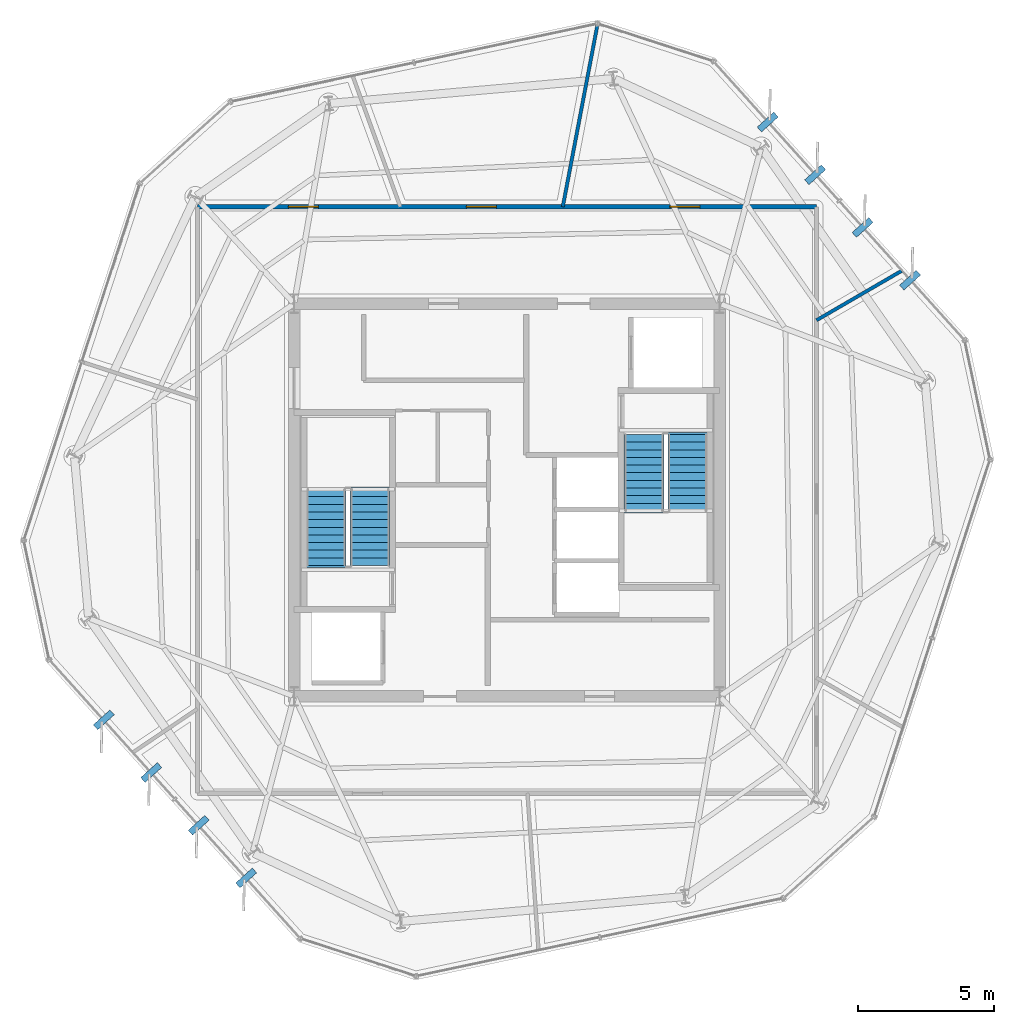
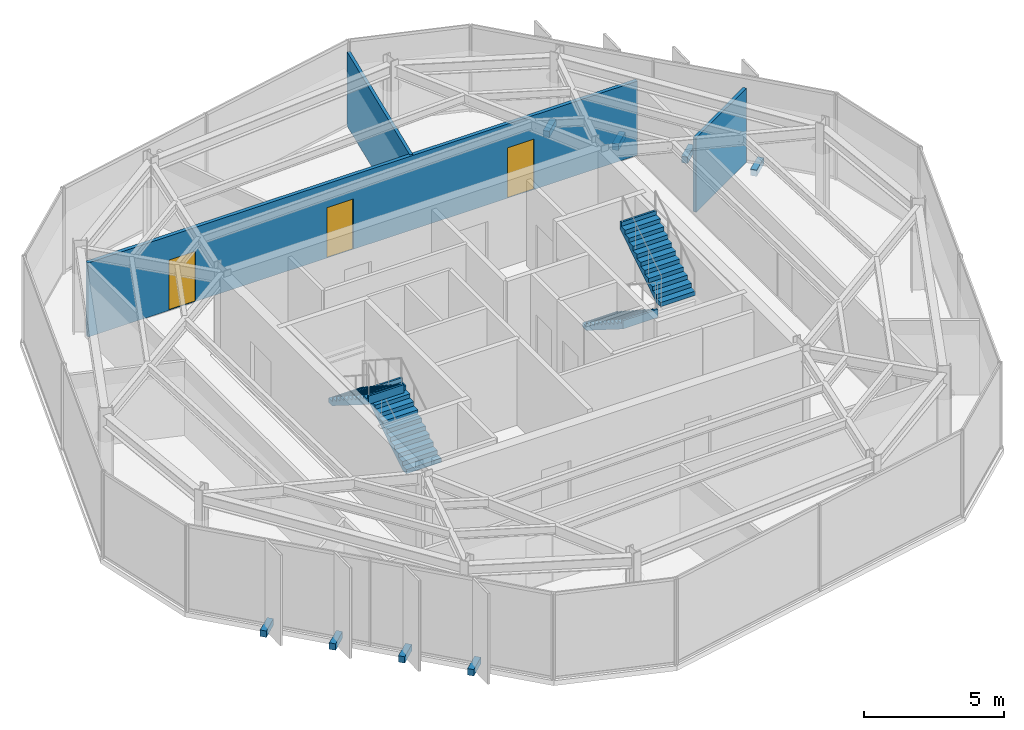
# One storey, part 9 of 13: 8 discrete accessories, 4 stair flights, 3 doors, 3 walls, 3 openings, 2 elements without a shape of their own.
"""IFC4 building model written with IfcOpenShell, lengths in metres."""

from ifc_helpers import new_model, si_unit, direction, frame, frame_2d, origin, origin_2d, place, context, subcontext, project, spatial, polyline, rectangle, outline, extrude, material, layer, layer_set, type_object, element, fill, aggregate, save


model = new_model("IFC4")

# Units and contexts
model_context = context("Model", 3, precision=1e-05, world=origin(), true_north=direction((0.0, 1.0)))
body_context = subcontext(model_context, "Body", "Model", "MODEL_VIEW")
ifc_project = project(units=[si_unit("LENGTHUNIT", "METRE"), si_unit("AREAUNIT", "SQUARE_METRE"), si_unit("VOLUMEUNIT", "CUBIC_METRE"), si_unit("PLANEANGLEUNIT", "RADIAN"), si_unit("MASSUNIT", "GRAM", prefix="KILO")], contexts=[model_context])

# Site, building, storey
site_placement = place(None, origin())
site = spatial("IfcSite", under=ifc_project, at=site_placement, CompositionType="ELEMENT")
building_placement = place(site_placement, origin())
building = spatial("IfcBuilding", under=site, at=building_placement, Name="Kranzbogen Civic Tower", CompositionType="ELEMENT")
storey_placement = place(building_placement, frame((0.0, 0.0, 314.199951171875)))
storey = spatial("IfcBuildingStorey", under=building, at=storey_placement, Name="L76", CompositionType="ELEMENT", Elevation=314.199951171875)

# Wall, openings, doors
ifc_material_1 = material(Name="Double-Stud Acoustic Gypsum Partition")
ifc_layer_1 = layer(ifc_material_1, 0.14990234375, Name="Double-Stud Acoustic Gypsum Partition")
ifc_layer_set_1 = layer_set([ifc_layer_1], Name="Double-Stud Acoustic Gypsum Partition")
wall_type_1 = type_object("IfcWallType", Name="Acoustic Corridor and Clinical Partition 150 mm", PredefinedType="PARTITIONING", material=ifc_layer_set_1)
wall_1_placement = place(storey_placement, frame((13.64990234375, 35.75, 0.0), z_axis=(0.0, 0.0, 1.0), x_axis=(1.0, 0.0, 0.0)))
wall_1 = element("IfcWall", 1, at=wall_1_placement, inside=storey, type_object=wall_type_1, Name="L76 corridor partition 01", PredefinedType="PARTITIONING", context=body_context, shape_type="SweptSolid", body=[
    extrude(rectangle(XDim=22.7001953125, YDim=0.14990234375, at=frame_2d((11.35009765625, 0.0))), origin(), (0.0, 0.0, 1.0), 3.239990234375),
])
opening_1_placement = place(wall_1_placement, frame((17.322021484375, 0.0, 0.0)))
opening_1 = element("IfcOpeningElement", 2, at=opening_1_placement, cuts=wall_1, Name="Opening D-COR60", PredefinedType="OPENING", context=body_context, shape_type="SweptSolid", body=[
    extrude(rectangle(XDim=1.10009765625, YDim=2.199951171875, at=frame_2d((0.550048828125, 1.10009765625))), frame((0.0, 0.0849609375, 0.0), z_axis=(0.0, -1.0, 0.0), x_axis=(1.0, 0.0, 0.0)), (0.0, 0.0, 1.0), 0.169921875),
])
opening_2_placement = place(wall_1_placement, frame((9.864013671875, 0.0, 0.0)))
opening_2 = element("IfcOpeningElement", 3, at=opening_2_placement, cuts=wall_1, Name="Opening D-COR60", PredefinedType="OPENING", context=body_context, shape_type="SweptSolid", body=[
    extrude(rectangle(XDim=1.10009765625, YDim=2.199951171875, at=frame_2d((0.550048828125, 1.10009765625))), frame((0.0, 0.0849609375, 0.0), z_axis=(0.0, -1.0, 0.0), x_axis=(1.0, 0.0, 0.0)), (0.0, 0.0, 1.0), 0.169921875),
])
opening_3_placement = place(wall_1_placement, frame((3.340087890625, 0.0, 0.0)))
opening_3 = element("IfcOpeningElement", 4, at=opening_3_placement, cuts=wall_1, Name="Opening D-COR60", PredefinedType="OPENING", context=body_context, shape_type="SweptSolid", body=[
    extrude(rectangle(XDim=1.10009765625, YDim=2.199951171875, at=frame_2d((0.550048828125, 1.10009765625))), frame((0.0, 0.0849609375, 0.0), z_axis=(0.0, -1.0, 0.0), x_axis=(1.0, 0.0, 0.0)), (0.0, 0.0, 1.0), 0.169921875),
])
ifc_material_2 = material(Name="Oak Timber and Fire Core", Category="wood")
door_type = type_object("IfcDoorType", Name="Corridor Acoustic Fire Door 1100x2200", OperationType="NOTDEFINED", PredefinedType="DOOR", material=ifc_material_2)
door_1_placement = place(opening_1_placement, origin())
door_1 = element("IfcDoor", 5, at=door_1_placement, inside=storey, type_object=door_type, Name="L76 Municipal Exhibition Showroom door", OperationType="SINGLE_SWING_RIGHT", OverallHeight=2.199951171875, OverallWidth=1.10009765625, PredefinedType="DOOR", context=body_context, shape_type="SweptSolid", body=[
    extrude(rectangle(XDim=1.10009765625, YDim=2.199951171875, at=frame_2d((0.550048828125, 1.10009765625))), frame((0.0, 0.02490234375, 0.0), z_axis=(0.0, -1.0, 0.0), x_axis=(1.0, 0.0, 0.0)), (0.0, 0.0, 1.0), 0.050048828125),
])
fill(opening_1, door_1)
door_2_placement = place(opening_2_placement, origin())
door_2 = element("IfcDoor", 6, at=door_2_placement, inside=storey, type_object=door_type, Name="L76 Licensing Information Kiosk door", OperationType="SINGLE_SWING_LEFT", OverallHeight=2.199951171875, OverallWidth=1.10009765625, PredefinedType="DOOR", context=body_context, shape_type="SweptSolid", body=[
    extrude(rectangle(XDim=1.10009765625, YDim=2.199951171875, at=frame_2d((0.550048828125, 1.10009765625))), frame((0.0, 0.02490234375, 0.0), z_axis=(0.0, -1.0, 0.0), x_axis=(1.0, 0.0, 0.0)), (0.0, 0.0, 1.0), 0.050048828125),
])
fill(opening_2, door_2)
door_3_placement = place(opening_3_placement, origin())
door_3 = element("IfcDoor", 7, at=door_3_placement, inside=storey, type_object=door_type, Name="L76 Staff Tea Pantry door", OperationType="SINGLE_SWING_RIGHT", OverallHeight=2.199951171875, OverallWidth=1.10009765625, PredefinedType="DOOR", context=body_context, shape_type="SweptSolid", body=[
    extrude(rectangle(XDim=1.10009765625, YDim=2.199951171875, at=frame_2d((0.550048828125, 1.10009765625))), frame((0.0, 0.02490234375, 0.0), z_axis=(0.0, -1.0, 0.0), x_axis=(1.0, 0.0, 0.0)), (0.0, 0.0, 1.0), 0.050048828125),
])
fill(opening_3, door_3)

# Walls
ifc_material_3 = material(Name="Insulated Metal-Stud Gypsum Partition")
ifc_layer_2 = layer(ifc_material_3, 0.125, Name="Insulated Metal-Stud Gypsum Partition")
ifc_layer_set_2 = layer_set([ifc_layer_2], Name="Insulated Metal-Stud Gypsum Partition")
wall_type_2 = type_object("IfcWallType", Name="Acoustic Inter-Room Partition 125 mm", PredefinedType="PARTITIONING", material=ifc_layer_set_2)
wall_2_placement = place(storey_placement, frame((36.35009765625, 31.590087890625, 0.0), z_axis=(0.0, 0.0, 1.0), x_axis=(0.864909440523, 0.50192794273, 0.0)))
element("IfcWall", 8, at=wall_2_placement, inside=storey, type_object=wall_type_2, Name="L76 radial room partition 06", PredefinedType="PARTITIONING", context=body_context, shape_type="SweptSolid", body=[
    extrude(rectangle(XDim=3.603759765625, YDim=0.125, at=frame_2d((1.8017578125, 0.0))), origin(), (0.0, 0.0, 1.0), 3.239990234375),
])
wall_3_placement = place(storey_placement, frame((27.048095703125, 35.75, 0.0), z_axis=(0.0, 0.0, 1.0), x_axis=(0.187089059339, 0.982342956342, 0.0)))
element("IfcWall", 9, at=wall_3_placement, inside=storey, type_object=wall_type_2, Name="L76 radial room partition 07", PredefinedType="PARTITIONING", context=body_context, shape_type="SweptSolid", body=[
    extrude(rectangle(XDim=6.814453125, YDim=0.125, at=frame_2d((3.4072265625, 0.0))), origin(), (0.0, 0.0, 1.0), 3.239990234375),
])

# Stair, stair flights
ifc_material_4 = material(Name="Precast concrete C40/50", Category="concrete")
stair_type_1 = type_object("IfcStairType", Name="Tower Core Pressurized Dogleg Stair 1450", PredefinedType="HALF_TURN_STAIR", material=ifc_material_4)
stair_1_placement = place(storey_placement, origin())
stair_1 = element("IfcStair", 10, at=stair_1_placement, inside=storey, type_object=stair_type_1, Name="L76 Tower Core Pressurized Stair 1", PredefinedType="HALF_TURN_STAIR")
stair_flight_type = type_object("IfcStairFlightType", Name="Precast Concrete Stair Flight R180", PredefinedType="STRAIGHT", material=ifc_material_4)
stair_flight_1_placement = place(storey_placement, frame((19.97509765625, 22.60009765625, 0.0), z_axis=(0.0, 0.0, 1.0), x_axis=(0.0, 1.0, 0.0)))
stair_flight_1 = element("IfcStairFlight", 11, at=stair_flight_1_placement, type_object=stair_flight_type, Name="ST-T1 flight 1", NumberOfRisers=11, NumberOfTreads=10, PredefinedType="STRAIGHT", RiserHeight=0.181818182, TreadLength=0.28, context=body_context, shape_type="SweptSolid", body=[
    extrude(outline(polyline([(0.0, 0.0), (0.0, 0.181884765625), (0.280029296875, 0.181884765625), (0.280029296875, 0.363525390625), (0.56005859375, 0.363525390625), (0.56005859375, 0.54541015625), (0.840087890625, 0.54541015625), (0.840087890625, 0.727294921875), (1.1201171875, 0.727294921875), (1.1201171875, 0.9091796875), (1.39990234375, 0.9091796875), (1.39990234375, 1.0908203125), (1.679931640625, 1.0908203125), (1.679931640625, 1.272705078125), (1.9599609375, 1.272705078125), (1.9599609375, 1.45458984375), (2.239990234375, 1.45458984375), (2.239990234375, 1.636474609375), (2.52001953125, 1.636474609375), (2.52001953125, 1.818115234375), (2.800048828125, 1.818115234375), (2.800048828125, 2.0), (2.880126953125, 2.0), (2.880126953125, 1.639404296875), (0.275146484375, 0.0), (0.0, 0.0)])), frame((0.0, 0.72509765625, 0.0), z_axis=(0.0, -1.0, 0.0), x_axis=(1.0, 0.0, 0.0)), (0.0, 0.0, 1.0), 1.449951171875),
])
stair_flight_2_placement = place(storey_placement, frame((18.375, 25.39990234375, 2.0), z_axis=(0.0, 0.0, 1.0), x_axis=(0.0, -1.0, 0.0)))
stair_flight_2 = element("IfcStairFlight", 12, at=stair_flight_2_placement, type_object=stair_flight_type, Name="ST-T1 flight 2", NumberOfRisers=11, NumberOfTreads=10, PredefinedType="STRAIGHT", RiserHeight=0.181818182, TreadLength=0.28, context=body_context, shape_type="SweptSolid", body=[
    extrude(outline(polyline([(0.0, 0.0), (0.0, 0.181884765625), (0.280029296875, 0.181884765625), (0.280029296875, 0.363525390625), (0.56005859375, 0.363525390625), (0.56005859375, 0.54541015625), (0.840087890625, 0.54541015625), (0.840087890625, 0.727294921875), (1.1201171875, 0.727294921875), (1.1201171875, 0.9091796875), (1.39990234375, 0.9091796875), (1.39990234375, 1.0908203125), (1.679931640625, 1.0908203125), (1.679931640625, 1.272705078125), (1.9599609375, 1.272705078125), (1.9599609375, 1.45458984375), (2.239990234375, 1.45458984375), (2.239990234375, 1.636474609375), (2.52001953125, 1.636474609375), (2.52001953125, 1.818115234375), (2.800048828125, 1.818115234375), (2.800048828125, 2.0), (2.880126953125, 2.0), (2.880126953125, 1.639404296875), (0.275146484375, 0.0), (0.0, 0.0)])), frame((0.0, 0.72509765625, 0.0), z_axis=(0.0, -1.0, 0.0), x_axis=(1.0, 0.0, 0.0)), (0.0, 0.0, 1.0), 1.449951171875),
])
aggregate(stair_1, [stair_flight_1, stair_flight_2])

stair_type_2 = type_object("IfcStairType", Name="Tower Core Secondary Dogleg Stair 1450", PredefinedType="HALF_TURN_STAIR", material=ifc_material_4)
stair_2_placement = place(storey_placement, origin())
stair_2 = element("IfcStair", 13, at=stair_2_placement, inside=storey, type_object=stair_type_2, Name="L76 Tower Core Pressurized Stair 2", PredefinedType="HALF_TURN_STAIR")
stair_flight_3_placement = place(storey_placement, frame((30.02490234375, 27.39990234375, 0.0), z_axis=(0.0, 0.0, 1.0), x_axis=(0.0, -1.0, 0.0)))
stair_flight_3 = element("IfcStairFlight", 14, at=stair_flight_3_placement, type_object=stair_flight_type, Name="ST-T2 flight 1", NumberOfRisers=11, NumberOfTreads=10, PredefinedType="STRAIGHT", RiserHeight=0.181818182, TreadLength=0.28, context=body_context, shape_type="SweptSolid", body=[
    extrude(outline(polyline([(0.0, 0.0), (0.0, 0.181884765625), (0.280029296875, 0.181884765625), (0.280029296875, 0.363525390625), (0.56005859375, 0.363525390625), (0.56005859375, 0.54541015625), (0.840087890625, 0.54541015625), (0.840087890625, 0.727294921875), (1.1201171875, 0.727294921875), (1.1201171875, 0.9091796875), (1.39990234375, 0.9091796875), (1.39990234375, 1.0908203125), (1.679931640625, 1.0908203125), (1.679931640625, 1.272705078125), (1.9599609375, 1.272705078125), (1.9599609375, 1.45458984375), (2.239990234375, 1.45458984375), (2.239990234375, 1.636474609375), (2.52001953125, 1.636474609375), (2.52001953125, 1.818115234375), (2.800048828125, 1.818115234375), (2.800048828125, 2.0), (2.880126953125, 2.0), (2.880126953125, 1.639404296875), (0.275146484375, 0.0), (0.0, 0.0)])), frame((0.0, 0.72509765625, 0.0), z_axis=(0.0, -1.0, 0.0), x_axis=(1.0, 0.0, 0.0)), (0.0, 0.0, 1.0), 1.449951171875),
])
stair_flight_4_placement = place(storey_placement, frame((31.625, 24.60009765625, 2.0), z_axis=(0.0, 0.0, 1.0), x_axis=(0.0, 1.0, 0.0)))
stair_flight_4 = element("IfcStairFlight", 15, at=stair_flight_4_placement, type_object=stair_flight_type, Name="ST-T2 flight 2", NumberOfRisers=11, NumberOfTreads=10, PredefinedType="STRAIGHT", RiserHeight=0.181818182, TreadLength=0.28, context=body_context, shape_type="SweptSolid", body=[
    extrude(outline(polyline([(0.0, 0.0), (0.0, 0.181884765625), (0.280029296875, 0.181884765625), (0.280029296875, 0.363525390625), (0.56005859375, 0.363525390625), (0.56005859375, 0.54541015625), (0.840087890625, 0.54541015625), (0.840087890625, 0.727294921875), (1.1201171875, 0.727294921875), (1.1201171875, 0.9091796875), (1.39990234375, 0.9091796875), (1.39990234375, 1.0908203125), (1.679931640625, 1.0908203125), (1.679931640625, 1.272705078125), (1.9599609375, 1.272705078125), (1.9599609375, 1.45458984375), (2.239990234375, 1.45458984375), (2.239990234375, 1.636474609375), (2.52001953125, 1.636474609375), (2.52001953125, 1.818115234375), (2.800048828125, 1.818115234375), (2.800048828125, 2.0), (2.880126953125, 2.0), (2.880126953125, 1.639404296875), (0.275146484375, 0.0), (0.0, 0.0)])), frame((0.0, 0.72509765625, 0.0), z_axis=(0.0, -1.0, 0.0), x_axis=(1.0, 0.0, 0.0)), (0.0, 0.0, 1.0), 1.449951171875),
])
aggregate(stair_2, [stair_flight_3, stair_flight_4])

# Discrete accessories
ifc_material_5 = material(Name="Steel S355", Category="steel")
discrete_accessory_type = type_object("IfcDiscreteAccessoryType", Name="Structural Curtain-Wall Fin Support Bracket", PredefinedType="BRACKET", material=ifc_material_5)
for number, where, z_axis, x_axis, name in (
    (16, (10.219970703125, 16.93994140625, -0.25), (0.0, 0.0, 1.0), (-0.743144825477, -0.669130606359, 0.0), "L76 facade fin support bracket F3-1"),
    (17, (11.9599609375, 15.008056640625, -0.25), (0.0, 0.0, 1.0), (-0.743144825477, -0.669130606359, 0.0), "L76 facade fin support bracket F3-2"),
    (18, (13.699951171875, 13.075927734375, -0.25), (0.0, 0.0, 1.0), (-0.743144825477, -0.669130606359, 0.0), "L76 facade fin support bracket F3-3"),
    (19, (15.43994140625, 11.14404296875, -0.25), (0.0, 0.0, 1.0), (-0.743144825477, -0.669130606359, 0.0), "L76 facade fin support bracket F3-4"),
    (20, (39.780029296875, 33.06005859375, -0.25), (0.0, 0.0, 1.0), (0.743144825477, 0.669130606359, 0.0), "L76 facade fin support bracket F6-1"),
    (21, (38.0400390625, 34.991943359375, -0.25), (0.0, 0.0, 1.0), (0.743144825477, 0.669130606359, 0.0), "L76 facade fin support bracket F6-2"),
    (22, (36.300048828125, 36.924072265625, -0.25), (0.0, 0.0, 1.0), (0.743144825477, 0.669130606359, 0.0), "L76 facade fin support bracket F6-3"),
    (23, (34.56005859375, 38.85595703125, -0.25), (0.0, 0.0, 1.0), (0.743144825477, 0.669130606359, 0.0), "L76 facade fin support bracket F6-4"),
):
    element("IfcDiscreteAccessory", number, at=place(storey_placement, frame(where, z_axis=z_axis, x_axis=x_axis)), inside=storey, type_object=discrete_accessory_type, Name=name, PredefinedType="BRACKET", context=body_context, shape_type="SweptSolid", body=[
        extrude(rectangle(XDim=0.820068359375, YDim=0.239990234375, at=origin_2d()), origin(), (0.0, 0.0, 1.0), 0.280029296875),
    ])

save(model, "model.ifc")
